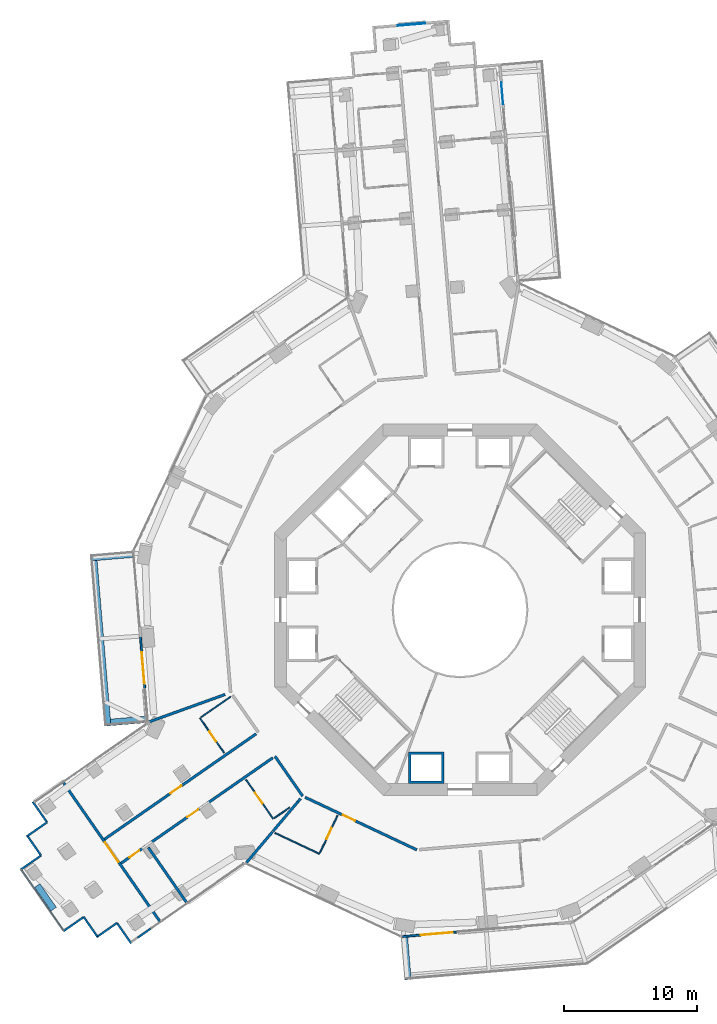
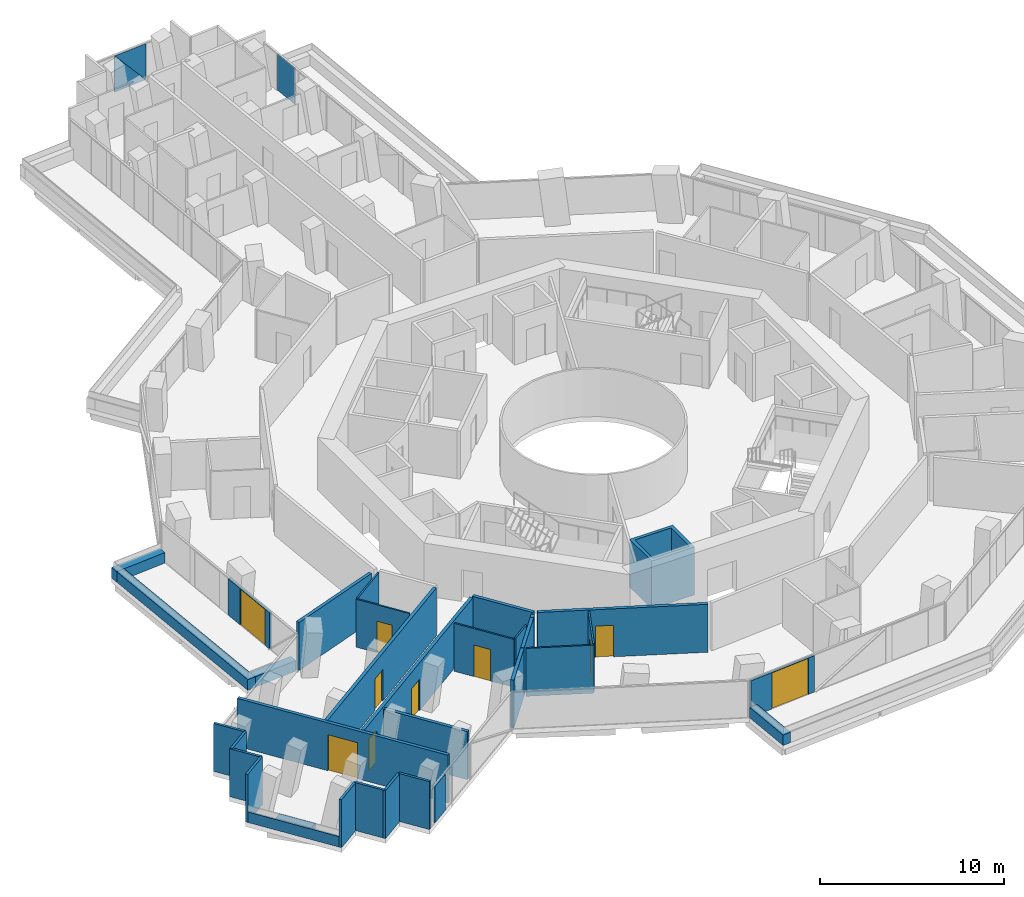
# One storey, part 18 of 26: 34 walls, 10 doors, 3 plates, 10 openings, 2 elements without a shape of their own.
"""IFC4 building model written with IfcOpenShell, lengths in metres."""

from ifc_helpers import new_model, si_unit, direction, frame, frame_2d, origin, origin_2d, place, context, subcontext, project, spatial, polyline, rectangle, outline, extrude, material, layer, layer_set, type_object, element, fill, aggregate, save


model = new_model("IFC4")

# Units and contexts
model_context = context("Model", 3, precision=1e-05, world=origin(), true_north=direction((0.0, 1.0)))
body_context = subcontext(model_context, "Body", "Model", "MODEL_VIEW")
ifc_project = project(units=[si_unit("LENGTHUNIT", "METRE"), si_unit("AREAUNIT", "SQUARE_METRE"), si_unit("VOLUMEUNIT", "CUBIC_METRE"), si_unit("PLANEANGLEUNIT", "RADIAN"), si_unit("MASSUNIT", "GRAM", prefix="KILO")], contexts=[model_context])

# Site, building, storey
site_placement = place(None, origin())
site = spatial("IfcSite", under=ifc_project, at=site_placement, CompositionType="ELEMENT")
building_placement = place(site_placement, origin())
building = spatial("IfcBuilding", under=site, at=building_placement, Name="Verdalira Terraces Hotel", CompositionType="ELEMENT")
storey_placement = place(building_placement, frame((0.0, 0.0, 53.0)))
storey = spatial("IfcBuildingStorey", under=building, at=storey_placement, Name="L11", CompositionType="ELEMENT", Elevation=53.0)

# Curtain wall, plate
ifc_material_1 = material(Name="Clear glass", Category="glass")
ifc_layer_1 = layer(ifc_material_1, 0.14990234375)
ifc_layer_set_1 = layer_set([ifc_layer_1], Name="CW2 curtain wall")
curtain_wall_type_1 = type_object("IfcCurtainWallType", Name="CW2 curtain wall", PredefinedType="NOTDEFINED", material=ifc_layer_set_1)
curtain_wall_1_placement = place(storey_placement, origin())
curtain_wall_1 = element("IfcCurtainWall", 1, at=curtain_wall_1_placement, inside=storey, type_object=curtain_wall_type_1, Name="CW2 curtain wall L11 edge 0", PredefinedType="NOTDEFINED")
ifc_material_2 = material(Name="Clear glass", Category="glass")
ifc_layer_2 = layer(ifc_material_2, 0.031982421875)
ifc_layer_set_2 = layer_set([ifc_layer_2], Name="CW2 glass unit 32")
plate_type_1 = type_object("IfcPlateType", Name="CW2 glass unit 32", PredefinedType="CURTAIN_PANEL", material=ifc_layer_set_2)
plate_1_placement = place(storey_placement, frame((3.176514, 38.954834, 0.0), z_axis=(0.0, 0.0, 1.0), x_axis=(-0.083677843, 0.996492859, 0.0)))
plate_1 = element("IfcPlate", 2, at=plate_1_placement, type_object=plate_type_1, Name="CW2 glass unit", PredefinedType="CURTAIN_PANEL", context=body_context, shape_type="SweptSolid", body=[
    extrude(rectangle(XDim=1.644775, YDim=0.031982, at=origin_2d()), origin(), (0.0, 0.0, 1.0), 2.425049),
])
aggregate(curtain_wall_1, [plate_1])

# Curtain wall, plates
ifc_material_3 = material(Name="Clear glass", Category="glass")
ifc_layer_3 = layer(ifc_material_3, 0.14990234375)
ifc_layer_set_3 = layer_set([ifc_layer_3], Name="CW3 curtain wall")
curtain_wall_type_2 = type_object("IfcCurtainWallType", Name="CW3 curtain wall", PredefinedType="NOTDEFINED", material=ifc_layer_set_3)
curtain_wall_2_placement = place(storey_placement, origin())
curtain_wall_2 = element("IfcCurtainWall", 3, at=curtain_wall_2_placement, inside=storey, type_object=curtain_wall_type_2, Name="CW3 curtain wall L11 edge 5", PredefinedType="NOTDEFINED")
ifc_material_4 = material(Name="Clear glass", Category="glass")
ifc_layer_4 = layer(ifc_material_4, 0.035888671875)
ifc_layer_set_4 = layer_set([ifc_layer_4], Name="CW3 glass unit 36")
plate_type_2 = type_object("IfcPlateType", Name="CW3 glass unit 36", PredefinedType="CURTAIN_PANEL", material=ifc_layer_set_4)
plate_2_placement = place(storey_placement, frame((-3.65918, 44.146729, 1.212402), z_axis=(-0.083677843, 0.996492859, 0.0), x_axis=(-0.996492859, -0.083677843, 0.0)))
plate_2 = element("IfcPlate", 4, at=plate_2_placement, type_object=plate_type_2, Name="CW3 glass unit", PredefinedType="CURTAIN_PANEL", context=body_context, shape_type="SweptSolid", body=[
    extrude(outline(polyline([(-1.037842, -1.212402), (1.037842, -1.212402), (1.037842, 1.212402), (-1.037842, -1.212402)])), origin(), (0.0, 0.0, 1.0), 0.035889),
])
plate_3_placement = place(storey_placement, frame((-3.656006, 44.109619, 1.212402), z_axis=(-0.083677843, 0.996492859, 0.0), x_axis=(-0.996492859, -0.083677843, 0.0)))
plate_3 = element("IfcPlate", 5, at=plate_3_placement, type_object=plate_type_2, Name="CW3 glass unit", PredefinedType="CURTAIN_PANEL", context=body_context, shape_type="SweptSolid", body=[
    extrude(outline(polyline([(-1.037842, -1.212402), (1.037842, 1.212402), (-1.037842, 1.212402), (-1.037842, -1.212402)])), origin(), (0.0, 0.0, 1.0), 0.035889),
])
aggregate(curtain_wall_2, [plate_2, plate_3])

# Walls
ifc_material_5 = material(Name="Concrete C40", Category="concrete")
ifc_layer_5 = layer(ifc_material_5, 0.5)
ifc_layer_set_5 = layer_set([ifc_layer_5], Name="Balcony planter trough with tree")
wall_type_1 = type_object("IfcWallType", Name="Balcony planter trough with tree", PredefinedType="SOLIDWALL", material=ifc_layer_set_5)
wall_1_placement = place(storey_placement, frame((-24.697266, 4.197998, 0.0), z_axis=(0.0, 0.0, 1.0), x_axis=(-0.996495576, -0.083645489, 0.0)))
element("IfcWall", 6, at=wall_1_placement, inside=storey, type_object=wall_type_1, Name="Balcony planter", PredefinedType="SOLIDWALL", context=body_context, shape_type="SweptSolid", body=[
    extrude(rectangle(XDim=3.198975, YDim=0.5, at=frame_2d((1.599609, 0.0))), origin(), (0.0, 0.0, 1.0), 0.699951),
])
wall_2_placement = place(storey_placement, frame((-27.61499, 3.702148, 0.0), z_axis=(0.0, 0.0, 1.0), x_axis=(0.083672624, -0.996493297, 0.0)))
element("IfcWall", 7, at=wall_2_placement, inside=storey, type_object=wall_type_1, Name="Balcony planter", PredefinedType="SOLIDWALL", context=body_context, shape_type="SweptSolid", body=[
    extrude(rectangle(XDim=12.5, YDim=0.5, at=frame_2d((6.25, 0.0))), origin(), (0.0, 0.0, 1.0), 0.699951),
])
wall_3_placement = place(storey_placement, frame((-26.34082, -8.483887, 0.0), z_axis=(0.0, 0.0, 1.0), x_axis=(0.996493156, 0.083674307, 0.0)))
element("IfcWall", 8, at=wall_3_placement, inside=storey, type_object=wall_type_1, Name="Balcony planter", PredefinedType="SOLIDWALL", context=body_context, shape_type="SweptSolid", body=[
    extrude(rectangle(XDim=2.698975, YDim=0.5, at=frame_2d((1.349609, 0.0))), origin(), (0.0, 0.0, 1.0), 0.699951),
])
wall_4_placement = place(storey_placement, frame((-4.197998, -24.697266, 0.0), z_axis=(0.0, 0.0, 1.0), x_axis=(0.083645489, -0.996495576, 0.0)))
element("IfcWall", 9, at=wall_4_placement, inside=storey, type_object=wall_type_1, Name="Balcony planter", PredefinedType="SOLIDWALL", context=body_context, shape_type="SweptSolid", body=[
    extrude(rectangle(XDim=3.198975, YDim=0.5, at=frame_2d((1.599609, 0.0))), origin(), (0.0, 0.0, 1.0), 0.699951),
])

# Wall, opening, door
ifc_material_6 = material(Name="Moisture-resistant gypsum board partition")
ifc_layer_6 = layer(ifc_material_6, 0.10009765625)
ifc_layer_set_6 = layer_set([ifc_layer_6], Name="Bathroom partition 100 mm")
wall_type_2 = type_object("IfcWallType", Name="Bathroom partition 100 mm", PredefinedType="PARTITIONING", material=ifc_layer_set_6)
wall_5_placement = place(storey_placement, frame((-19.614014, -8.151855, 0.0), z_axis=(0.0, 0.0, 1.0), x_axis=(0.570740324, -0.821130612, 0.0)))
wall_5 = element("IfcWall", 10, at=wall_5_placement, inside=storey, type_object=wall_type_2, Name="Bathroom partition", PredefinedType="PARTITIONING", context=body_context, shape_type="SweptSolid", body=[
    extrude(rectangle(XDim=3.200195, YDim=0.100098, at=frame_2d((1.600098, 0.0))), origin(), (0.0, 0.0, 1.0), 3.189941),
])
opening_1_placement = place(wall_5_placement, frame((1.25, 0.0, 0.0)))
opening_1 = element("IfcOpeningElement", 11, at=opening_1_placement, cuts=wall_5, Name="Opening L11-117", PredefinedType="OPENING", context=body_context, shape_type="SweptSolid", body=[
    extrude(rectangle(XDim=0.899902, YDim=2.100098, at=frame_2d((0.449951, 1.050049))), frame((0.0, 0.060059, 0.0), z_axis=(0.0, -1.0, 0.0), x_axis=(1.0, 0.0, 0.0)), (0.0, 0.0, 1.0), 0.120117),
])
ifc_material_7 = material(Name="Timber door", Category="wood")
door_type_1 = type_object("IfcDoorType", Name="Bathroom door 900 x 2100", OperationType="NOTDEFINED", PredefinedType="DOOR", material=ifc_material_7)
door_1_placement = place(opening_1_placement, origin())
door_1 = element("IfcDoor", 12, at=door_1_placement, inside=storey, type_object=door_type_1, Name="Bathroom door 1106", OperationType="SINGLE_SWING_LEFT", OverallHeight=2.10009765625, OverallWidth=0.89990234375, PredefinedType="DOOR", context=body_context, shape_type="SweptSolid", body=[
    extrude(rectangle(XDim=0.899902, YDim=2.100098, at=frame_2d((0.449951, 1.050049))), frame((0.0, 0.024902, 0.0), z_axis=(0.0, -1.0, 0.0), x_axis=(1.0, 0.0, 0.0)), (0.0, 0.0, 1.0), 0.050049),
])
fill(opening_1, door_1)

# Wall
wall_6_placement = place(storey_placement, frame((-19.531738, -8.094727, 0.0), z_axis=(0.0, 0.0, 1.0), x_axis=(0.821168678, 0.570685555, 0.0)))
element("IfcWall", 13, at=wall_6_placement, inside=storey, type_object=wall_type_2, Name="Bathroom partition", PredefinedType="PARTITIONING", context=body_context, shape_type="SweptSolid", body=[
    extrude(rectangle(XDim=2.699951, YDim=0.100098, at=frame_2d((1.350098, 0.0))), origin(), (0.0, 0.0, 1.0), 3.189941),
])

# Wall, opening, door
wall_7_placement = place(storey_placement, frame((-16.139404, -12.800293, 0.0), z_axis=(0.0, 0.0, 1.0), x_axis=(0.570669018, -0.82118017, 0.0)))
wall_7 = element("IfcWall", 14, at=wall_7_placement, inside=storey, type_object=wall_type_2, Name="Bathroom partition", PredefinedType="PARTITIONING", context=body_context, shape_type="SweptSolid", body=[
    extrude(rectangle(XDim=3.600098, YDim=0.100098, at=frame_2d((1.800049, 0.0))), origin(), (0.0, 0.0, 1.0), 3.189941),
])
opening_2_placement = place(wall_7_placement, frame((1.199951, 0.0, 0.0)))
opening_2 = element("IfcOpeningElement", 15, at=opening_2_placement, cuts=wall_7, Name="Opening L11-120", PredefinedType="OPENING", context=body_context, shape_type="SweptSolid", body=[
    extrude(rectangle(XDim=1.0, YDim=2.100098, at=frame_2d((0.5, 1.050049))), frame((0.0, 0.060059, 0.0), z_axis=(0.0, -1.0, 0.0), x_axis=(1.0, 0.0, 0.0)), (0.0, 0.0, 1.0), 0.120117),
])
ifc_material_8 = material(Name="Timber door", Category="wood")
door_type_2 = type_object("IfcDoorType", Name="Bathroom door 1000 x 2100", OperationType="NOTDEFINED", PredefinedType="DOOR", material=ifc_material_8)
door_2_placement = place(opening_2_placement, origin())
door_2 = element("IfcDoor", 16, at=door_2_placement, inside=storey, type_object=door_type_2, Name="Bathroom door 1108", OperationType="SINGLE_SWING_RIGHT", OverallHeight=2.10009765625, OverallWidth=1.0, PredefinedType="DOOR", context=body_context, shape_type="SweptSolid", body=[
    extrude(rectangle(XDim=1.0, YDim=2.100098, at=frame_2d((0.5, 1.050049))), frame((0.0, 0.024902, 0.0), z_axis=(0.0, -1.0, 0.0), x_axis=(1.0, 0.0, 0.0)), (0.0, 0.0, 1.0), 0.050049),
])
fill(opening_2, door_2)

# Walls
wall_8_placement = place(storey_placement, frame((-12.854492, -14.901367, 0.0), z_axis=(0.0, 0.0, 1.0), x_axis=(-0.821122219, -0.570752399, 0.0)))
element("IfcWall", 17, at=wall_8_placement, inside=storey, type_object=wall_type_2, Name="Bathroom partition", PredefinedType="PARTITIONING", context=body_context, shape_type="SweptSolid", body=[
    extrude(rectangle(XDim=1.398438, YDim=0.100098, at=frame_2d((0.699219, 0.0))), origin(), (0.0, 0.0, 1.0), 3.189941),
])
wall_9_placement = place(storey_placement, frame((-10.599854, -18.395996, 0.0), z_axis=(0.0, 0.0, 1.0), x_axis=(-0.904812727, 0.425809734, 0.0)))
element("IfcWall", 18, at=wall_9_placement, inside=storey, type_object=wall_type_2, Name="Bathroom partition", PredefinedType="PARTITIONING", context=body_context, shape_type="SweptSolid", body=[
    extrude(rectangle(XDim=3.703857, YDim=0.100098, at=frame_2d((1.852051, 0.0))), origin(), (0.0, 0.0, 1.0), 3.189941),
])

# Wall, opening, door
wall_10_placement = place(storey_placement, frame((-10.557129, -18.30542, 0.0), z_axis=(0.0, 0.0, 1.0), x_axis=(0.425759108, 0.90483655, 0.0)))
wall_10 = element("IfcWall", 19, at=wall_10_placement, inside=storey, type_object=wall_type_2, Name="Bathroom partition", PredefinedType="PARTITIONING", context=body_context, shape_type="SweptSolid", body=[
    extrude(rectangle(XDim=3.099854, YDim=0.100098, at=frame_2d((1.549805, 0.0))), origin(), (0.0, 0.0, 1.0), 3.189941),
])
opening_3_placement = place(wall_10_placement, frame((1.149902, 0.0, 0.0)))
opening_3 = element("IfcOpeningElement", 20, at=opening_3_placement, cuts=wall_10, Name="Opening L11-122", PredefinedType="OPENING", context=body_context, shape_type="SweptSolid", body=[
    extrude(rectangle(XDim=0.899902, YDim=2.100098, at=frame_2d((0.449951, 1.050049))), frame((0.0, 0.060059, 0.0), z_axis=(0.0, -1.0, 0.0), x_axis=(1.0, 0.0, 0.0)), (0.0, 0.0, 1.0), 0.120117),
])
door_3_placement = place(opening_3_placement, origin())
door_3 = element("IfcDoor", 21, at=door_3_placement, inside=storey, type_object=door_type_1, Name="Bathroom door 1109", OperationType="SINGLE_SWING_LEFT", OverallHeight=2.10009765625, OverallWidth=0.89990234375, PredefinedType="DOOR", context=body_context, shape_type="SweptSolid", body=[
    extrude(rectangle(XDim=0.899902, YDim=2.100098, at=frame_2d((0.449951, 1.050049))), frame((0.0, 0.024902, 0.0), z_axis=(0.0, -1.0, 0.0), x_axis=(1.0, 0.0, 0.0)), (0.0, 0.0, 1.0), 0.050049),
])
fill(opening_3, door_3)

# Walls
ifc_material_9 = material(Name="Concrete C50", Category="concrete")
ifc_layer_7 = layer(ifc_material_9, 0.199951171875)
ifc_layer_set_7 = layer_set([ifc_layer_7], Name="Core RC wall 200 C50")
wall_type_3 = type_object("IfcWallType", Name="Core RC wall 200 C50", PredefinedType="SOLIDWALL", material=ifc_layer_set_7)
wall_11_placement = place(storey_placement, origin())
element("IfcWall", 22, at=wall_11_placement, inside=storey, type_object=wall_type_3, Name="L11 shaft wall S1", PredefinedType="SOLIDWALL", context=body_context, shape_type="SweptSolid", body=[
    extrude(outline(polyline([(-1.199951, -13.100098), (-3.899902, -13.100098), (-3.899902, -10.699951), (-1.199951, -10.699951), (-1.199951, -13.100098)]), holes=[polyline([(-3.699951, -10.899902), (-3.699951, -12.899902), (-1.399902, -12.899902), (-1.399902, -10.899902), (-3.699951, -10.899902)])]), origin(), (0.0, 0.0, 1.0), 3.189941),
])
ifc_material_10 = material(Name="Fire-rated gypsum board wall")
ifc_layer_8 = layer(ifc_material_10, 0.199951171875)
ifc_layer_set_8 = layer_set([ifc_layer_8], Name="Demising wall 200 mm")
wall_type_4 = type_object("IfcWallType", Name="Demising wall 200 mm", PredefinedType="SOLIDWALL", material=ifc_layer_set_8)
wall_12_placement = place(storey_placement, frame((-17.71875, -6.37915, 0.0), z_axis=(0.0, 0.0, 1.0), x_axis=(-0.940881321, -0.338736386, 0.0)))
element("IfcWall", 23, at=wall_12_placement, inside=storey, type_object=wall_type_4, Name="Demising wall", PredefinedType="SOLIDWALL", context=body_context, shape_type="SweptSolid", body=[
    extrude(rectangle(XDim=6.13208, YDim=0.199951, at=frame_2d((3.065918, 0.0))), origin(), (0.0, 0.0, 1.0), 3.189941),
])
wall_13_placement = place(storey_placement, frame((-14.137207, -16.729248, 0.0), z_axis=(0.0, 0.0, 1.0), x_axis=(-0.645495257, -0.763764279, 0.0)))
element("IfcWall", 24, at=wall_13_placement, inside=storey, type_object=wall_type_4, Name="Demising wall", PredefinedType="SOLIDWALL", context=body_context, shape_type="SweptSolid", body=[
    extrude(rectangle(XDim=3.061279, YDim=0.199951, at=frame_2d((1.530762, 0.0))), origin(), (0.0, 0.0, 1.0), 3.189941),
])
wall_14_placement = place(storey_placement, frame((-12.219971, -14.460205, 0.0), z_axis=(0.0, 0.0, 1.0), x_axis=(-0.645440667, -0.763810412, 0.0)))
element("IfcWall", 25, at=wall_14_placement, inside=storey, type_object=wall_type_4, Name="Demising wall", PredefinedType="SOLIDWALL", context=body_context, shape_type="SweptSolid", body=[
    extrude(rectangle(XDim=2.924561, YDim=0.199951, at=frame_2d((1.462402, 0.0))), origin(), (0.0, 0.0, 1.0), 3.189941),
])
wall_15_placement = place(storey_placement, frame((-12.025635, -14.230469, 0.0), z_axis=(0.0, 0.0, 1.0), x_axis=(-0.645833123, -0.763478603, 0.0)))
element("IfcWall", 26, at=wall_15_placement, inside=storey, type_object=wall_type_4, Name="Demising wall", PredefinedType="SOLIDWALL", context=body_context, shape_type="SweptSolid", body=[
    extrude(rectangle(XDim=0.301025, YDim=0.199951, at=frame_2d((0.150391, 0.0))), origin(), (0.0, 0.0, 1.0), 3.189941),
])

# Wall, opening, door
ifc_material_11 = material(Name="Fire-rated gypsum board wall")
ifc_layer_9 = layer(ifc_material_11, 0.199951171875)
ifc_layer_set_9 = layer_set([ifc_layer_9], Name="Guest corridor wall 200 mm")
wall_type_5 = type_object("IfcWallType", Name="Guest corridor wall 200 mm", PredefinedType="SOLIDWALL", material=ifc_layer_set_9)
wall_16_placement = place(storey_placement, frame((-26.831543, -17.308838, 0.0), z_axis=(0.0, 0.0, 1.0), x_axis=(0.821145147, 0.570719412, 0.0)))
wall_16 = element("IfcWall", 27, at=wall_16_placement, inside=storey, type_object=wall_type_5, Name="Guest corridor wall", PredefinedType="SOLIDWALL", context=body_context, shape_type="SweptSolid", body=[
    extrude(rectangle(XDim=13.952881, YDim=0.199951, at=frame_2d((6.976562, 0.0))), origin(), (0.0, 0.0, 1.0), 3.189941),
])
opening_4_placement = place(wall_16_placement, frame((6.100098, 0.0, 0.0)))
opening_4 = element("IfcOpeningElement", 28, at=opening_4_placement, cuts=wall_16, Name="Opening L11-116", PredefinedType="OPENING", context=body_context, shape_type="SweptSolid", body=[
    extrude(rectangle(XDim=1.0, YDim=2.100098, at=frame_2d((0.5, 1.050049))), frame((0.0, 0.109863, 0.0), z_axis=(0.0, -1.0, 0.0), x_axis=(1.0, 0.0, 0.0)), (0.0, 0.0, 1.0), 0.219971),
])
ifc_material_12 = material(Name="Timber fire door", Category="wood")
door_type_3 = type_object("IfcDoorType", Name="Guest entry door 1000 x 2100", OperationType="NOTDEFINED", PredefinedType="DOOR", material=ifc_material_12)
door_4_placement = place(opening_4_placement, origin())
door_4 = element("IfcDoor", 29, at=door_4_placement, inside=storey, type_object=door_type_3, Name="Guest entry door 1106", OperationType="SINGLE_SWING_LEFT", OverallHeight=2.10009765625, OverallWidth=1.0, PredefinedType="DOOR", context=body_context, shape_type="SweptSolid", body=[
    extrude(rectangle(XDim=1.0, YDim=2.100098, at=frame_2d((0.5, 1.050049))), frame((0.0, 0.024902, 0.0), z_axis=(0.0, -1.0, 0.0), x_axis=(1.0, 0.0, 0.0)), (0.0, 0.0, 1.0), 0.050049),
])
fill(opening_4, door_4)

# Wall, openings, doors
wall_17_placement = place(storey_placement, frame((-14.118652, -11.152344, 0.0), z_axis=(0.0, 0.0, 1.0), x_axis=(-0.821153348, -0.570707613, 0.0)))
wall_17 = element("IfcWall", 30, at=wall_17_placement, inside=storey, type_object=wall_type_5, Name="Guest corridor wall", PredefinedType="SOLIDWALL", context=body_context, shape_type="SweptSolid", body=[
    extrude(rectangle(XDim=13.952637, YDim=0.199951, at=frame_2d((6.976318, 0.0))), origin(), (0.0, 0.0, 1.0), 3.189941),
])
opening_5_placement = place(wall_17_placement, frame((12.266357, 0.0, 0.0)))
opening_5 = element("IfcOpeningElement", 31, at=opening_5_placement, cuts=wall_17, Name="Opening L11-118", PredefinedType="OPENING", context=body_context, shape_type="SweptSolid", body=[
    extrude(rectangle(XDim=0.899902, YDim=2.100098, at=frame_2d((0.449951, 1.050049))), frame((0.0, 0.109863, 0.0), z_axis=(0.0, -1.0, 0.0), x_axis=(1.0, 0.0, 0.0)), (0.0, 0.0, 1.0), 0.219971),
])
opening_6_placement = place(wall_17_placement, frame((6.850098, 0.0, 0.0)))
opening_6 = element("IfcOpeningElement", 32, at=opening_6_placement, cuts=wall_17, Name="Opening L11-119", PredefinedType="OPENING", context=body_context, shape_type="SweptSolid", body=[
    extrude(rectangle(XDim=1.0, YDim=2.100098, at=frame_2d((0.5, 1.050049))), frame((0.0, 0.109863, 0.0), z_axis=(0.0, -1.0, 0.0), x_axis=(1.0, 0.0, 0.0)), (0.0, 0.0, 1.0), 0.219971),
])
door_5_placement = place(opening_6_placement, origin())
door_5 = element("IfcDoor", 33, at=door_5_placement, inside=storey, type_object=door_type_3, Name="Guest entry door 1108", OperationType="SINGLE_SWING_RIGHT", OverallHeight=2.10009765625, OverallWidth=1.0, PredefinedType="DOOR", context=body_context, shape_type="SweptSolid", body=[
    extrude(rectangle(XDim=1.0, YDim=2.100098, at=frame_2d((0.5, 1.050049))), frame((0.0, 0.024902, 0.0), z_axis=(0.0, -1.0, 0.0), x_axis=(1.0, 0.0, 0.0)), (0.0, 0.0, 1.0), 0.050049),
])
fill(opening_6, door_5)
ifc_material_13 = material(Name="Steel fire door", Category="steel")
door_type_4 = type_object("IfcDoorType", Name="Service room door 900 x 2100", OperationType="NOTDEFINED", PredefinedType="DOOR", material=ifc_material_13)
door_6_placement = place(opening_5_placement, origin())
door_6 = element("IfcDoor", 34, at=door_6_placement, inside=storey, type_object=door_type_4, Name="Service room door 1107", OperationType="SINGLE_SWING_LEFT", OverallHeight=2.10009765625, OverallWidth=0.89990234375, PredefinedType="DOOR", context=body_context, shape_type="SweptSolid", body=[
    extrude(rectangle(XDim=0.899902, YDim=2.100098, at=frame_2d((0.449951, 1.050049))), frame((0.0, 0.024902, 0.0), z_axis=(0.0, -1.0, 0.0), x_axis=(1.0, 0.0, 0.0)), (0.0, 0.0, 1.0), 0.050049),
])
fill(opening_5, door_6)

# Wall
wall_18_placement = place(storey_placement, frame((-13.95459, -11.038086, 0.0), z_axis=(0.0, 0.0, 1.0), x_axis=(0.570704668, -0.821155395, 0.0)))
element("IfcWall", 35, at=wall_18_placement, inside=storey, type_object=wall_type_5, Name="Guest corridor wall", PredefinedType="SOLIDWALL", context=body_context, shape_type="SweptSolid", body=[
    extrude(rectangle(XDim=3.658447, YDim=0.199951, at=frame_2d((1.829102, 0.0))), origin(), (0.0, 0.0, 1.0), 3.189941),
])

# Wall, opening, door
wall_19_placement = place(storey_placement, frame((-3.256104, -18.093994, 0.0), z_axis=(0.0, 0.0, 1.0), x_axis=(-0.904828798, 0.425775581, 0.0)))
wall_19 = element("IfcWall", 36, at=wall_19_placement, inside=storey, type_object=wall_type_5, Name="Guest corridor wall", PredefinedType="SOLIDWALL", context=body_context, shape_type="SweptSolid", body=[
    extrude(rectangle(XDim=9.316162, YDim=0.199951, at=frame_2d((4.658203, 0.0))), origin(), (0.0, 0.0, 1.0), 3.189941),
])
opening_7_placement = place(wall_19_placement, frame((5.149902, 0.0, 0.0)))
opening_7 = element("IfcOpeningElement", 37, at=opening_7_placement, cuts=wall_19, Name="Opening L11-121", PredefinedType="OPENING", context=body_context, shape_type="SweptSolid", body=[
    extrude(rectangle(XDim=1.0, YDim=2.100098, at=frame_2d((0.5, 1.050049))), frame((0.0, 0.109863, 0.0), z_axis=(0.0, -1.0, 0.0), x_axis=(1.0, 0.0, 0.0)), (0.0, 0.0, 1.0), 0.219971),
])
door_7_placement = place(opening_7_placement, origin())
door_7 = element("IfcDoor", 38, at=door_7_placement, inside=storey, type_object=door_type_3, Name="Guest entry door 1109", OperationType="SINGLE_SWING_LEFT", OverallHeight=2.10009765625, OverallWidth=1.0, PredefinedType="DOOR", context=body_context, shape_type="SweptSolid", body=[
    extrude(rectangle(XDim=1.0, YDim=2.100098, at=frame_2d((0.5, 1.050049))), frame((0.0, 0.024902, 0.0), z_axis=(0.0, -1.0, 0.0), x_axis=(1.0, 0.0, 0.0)), (0.0, 0.0, 1.0), 0.050049),
])
fill(opening_7, door_7)

ifc_material_14 = material(Name="Terracotta cladding", Category="masonry")
ifc_layer_10 = layer(ifc_material_14, 0.199951171875)
ifc_layer_set_10 = layer_set([ifc_layer_10], Name="Loggia back wall 200")
wall_type_6 = type_object("IfcWallType", Name="Loggia back wall 200", PredefinedType="SOLIDWALL", material=ifc_layer_set_10)
wall_20_placement = place(storey_placement, frame((-22.645264, -23.471924, 0.0), z_axis=(0.0, 0.0, 1.0), x_axis=(-0.570717477, 0.821146492, 0.0)))
wall_20 = element("IfcWall", 39, at=wall_20_placement, inside=storey, type_object=wall_type_6, Name="Loggia back wall", PredefinedType="SOLIDWALL", context=body_context, shape_type="SweptSolid", body=[
    extrude(rectangle(XDim=12.699951, YDim=0.199951, at=frame_2d((6.350098, 0.0))), origin(), (0.0, 0.0, 1.0), 3.189941),
])
opening_8_placement = place(wall_20_placement, frame((5.449951, 0.0, 0.0)))
opening_8 = element("IfcOpeningElement", 40, at=opening_8_placement, cuts=wall_20, Name="Opening L11-L01", PredefinedType="OPENING", context=body_context, shape_type="SweptSolid", body=[
    extrude(rectangle(XDim=1.800049, YDim=2.399902, at=frame_2d((0.899902, 1.199951))), frame((0.0, 0.109863, 0.0), z_axis=(0.0, -1.0, 0.0), x_axis=(1.0, 0.0, 0.0)), (0.0, 0.0, 1.0), 0.219971),
])
ifc_material_15 = material(Name="Clear glass", Category="glass")
door_type_5 = type_object("IfcDoorType", Name="Garden double door 1800x2400", OperationType="NOTDEFINED", PredefinedType="DOOR", material=ifc_material_15)
door_8_placement = place(opening_8_placement, origin())
door_8 = element("IfcDoor", 41, at=door_8_placement, inside=storey, type_object=door_type_5, Name="Loggia double door", OperationType="DOUBLE_DOOR_SINGLE_SWING", OverallHeight=2.39990234375, OverallWidth=1.800048828125, PredefinedType="DOOR", context=body_context, shape_type="SweptSolid", body=[
    extrude(rectangle(XDim=1.800049, YDim=2.399902, at=frame_2d((0.899902, 1.199951))), frame((0.0, 0.024902, 0.0), z_axis=(0.0, -1.0, 0.0), x_axis=(1.0, 0.0, 0.0)), (0.0, 0.0, 1.0), 0.050049),
])
fill(opening_8, door_8)

# Walls
ifc_material_16 = material(Name="Concrete C40", Category="concrete")
ifc_layer_11 = layer(ifc_material_16, 0.5)
ifc_layer_set_11 = layer_set([ifc_layer_11], Name="Loggia planter trough with tree")
wall_type_7 = type_object("IfcWallType", Name="Loggia planter trough with tree", PredefinedType="SOLIDWALL", material=ifc_layer_set_11)
wall_21_placement = place(storey_placement, frame((-31.880859, -20.784668, 0.0), z_axis=(0.0, 0.0, 1.0), x_axis=(0.57073772, -0.821132422, 0.0)))
element("IfcWall", 42, at=wall_21_placement, inside=storey, type_object=wall_type_7, Name="Loggia planter", PredefinedType="SOLIDWALL", context=body_context, shape_type="SweptSolid", body=[
    extrude(rectangle(XDim=2.16748, YDim=0.5, at=frame_2d((1.08374, 0.0))), origin(), (0.0, 0.0, 1.0), 0.699951),
])
ifc_material_17 = material(Name="Concrete C40", Category="concrete")
ifc_layer_12 = layer(ifc_material_17, 0.10009765625)
ifc_layer_set_12 = layer_set([ifc_layer_12], Name="Loggia upstand 100")
wall_type_8 = type_object("IfcWallType", Name="Loggia upstand 100", PredefinedType="SOLIDWALL", material=ifc_layer_set_12)
wall_22_placement = place(storey_placement, frame((-33.053223, -19.623535, 0.0), z_axis=(0.0, 0.0, 1.0), x_axis=(0.570709379, -0.82115212, 0.0)))
element("IfcWall", 43, at=wall_22_placement, inside=storey, type_object=wall_type_8, Name="Loggia upstand", PredefinedType="SOLIDWALL", context=body_context, shape_type="SweptSolid", body=[
    extrude(rectangle(XDim=5.5, YDim=0.100098, at=frame_2d((2.75, 0.0))), origin(), (0.0, 0.0, 1.0), 0.699951),
])
ifc_material_18 = material(Name="Fire-rated gypsum board wall")
ifc_layer_13 = layer(ifc_material_18, 0.199951171875)
ifc_layer_set_13 = layer_set([ifc_layer_13], Name="Service room wall 200 mm")
wall_type_9 = type_object("IfcWallType", Name="Service room wall 200 mm", PredefinedType="SOLIDWALL", material=ifc_layer_set_13)
wall_23_placement = place(storey_placement, frame((-23.502197, -17.91748, 0.0), z_axis=(0.0, 0.0, 1.0), x_axis=(0.570694741, -0.821162294, 0.0)))
element("IfcWall", 44, at=wall_23_placement, inside=storey, type_object=wall_type_9, Name="Service room wall", PredefinedType="SOLIDWALL", context=body_context, shape_type="SweptSolid", body=[
    extrude(rectangle(XDim=5.050049, YDim=0.199951, at=frame_2d((2.524902, 0.0))), origin(), (0.0, 0.0, 1.0), 3.189941),
])
ifc_material_19 = material(Name="Terracotta cladding", Category="masonry")
ifc_layer_14 = layer(ifc_material_19, 0.14990234375)
ifc_layer_set_14 = layer_set([ifc_layer_14], Name="Terracotta clad wall 150")
wall_type_10 = type_object("IfcWallType", Name="Terracotta clad wall 150", PredefinedType="SOLIDWALL", material=ifc_layer_set_14)
wall_24_placement = place(storey_placement, frame((-32.216553, -14.475342, 0.0), z_axis=(0.0, 0.0, 1.0), x_axis=(0.570671497, -0.821178447, 0.0)))
element("IfcWall", 45, at=wall_24_placement, inside=storey, type_object=wall_type_10, Name="Terracotta cladding wall", PredefinedType="SOLIDWALL", context=body_context, shape_type="SweptSolid", body=[
    extrude(rectangle(XDim=1.875, YDim=0.149902, at=frame_2d((0.9375, 0.0))), origin(), (0.0, 0.0, 1.0), 3.189941),
])
wall_25_placement = place(storey_placement, frame((-31.146484, -16.015137, 0.0), z_axis=(0.0, 0.0, 1.0), x_axis=(-0.821170476, -0.570682967, 0.0)))
element("IfcWall", 46, at=wall_25_placement, inside=storey, type_object=wall_type_10, Name="Terracotta cladding wall", PredefinedType="SOLIDWALL", context=body_context, shape_type="SweptSolid", body=[
    extrude(rectangle(XDim=1.800293, YDim=0.149902, at=frame_2d((0.900146, 0.0))), origin(), (0.0, 0.0, 1.0), 3.189941),
])
for number, where, z_axis, x_axis, name in (
    (47, (-32.66748, -16.980713, 0.0), (0.0, 0.0, 1.0), (0.570671497, -0.821178447, 0.0), "Terracotta cladding wall"),
    (48, (-31.597412, -18.520508, 0.0), (0.0, 0.0, 1.0), (-0.821136038, -0.570732518, 0.0), "Terracotta cladding wall"),
    (49, (-29.912354, -24.22998, 0.0), (0.0, 0.0, 1.0), (0.821136038, 0.570732518, 0.0), "Terracotta cladding wall"),
):
    element("IfcWall", number, at=place(storey_placement, frame(where, z_axis=z_axis, x_axis=x_axis)), inside=storey, type_object=wall_type_10, Name=name, PredefinedType="SOLIDWALL", context=body_context, shape_type="SweptSolid", body=[
        extrude(rectangle(XDim=1.875, YDim=0.149902, at=frame_2d((0.9375, 0.0))), origin(), (0.0, 0.0, 1.0), 3.189941),
    ])
wall_26_placement = place(storey_placement, frame((-28.372803, -23.159912, 0.0), z_axis=(0.0, 0.0, 1.0), x_axis=(0.570746527, -0.821126301, 0.0)))
element("IfcWall", 50, at=wall_26_placement, inside=storey, type_object=wall_type_10, Name="Terracotta cladding wall", PredefinedType="SOLIDWALL", context=body_context, shape_type="SweptSolid", body=[
    extrude(rectangle(XDim=1.800049, YDim=0.149902, at=frame_2d((0.899902, 0.0))), origin(), (0.0, 0.0, 1.0), 3.189941),
])
wall_27_placement = place(storey_placement, frame((-27.407227, -24.680908, 0.0), z_axis=(0.0, 0.0, 1.0), x_axis=(0.821117432, 0.570759287, 0.0)))
element("IfcWall", 51, at=wall_27_placement, inside=storey, type_object=wall_type_10, Name="Terracotta cladding wall", PredefinedType="SOLIDWALL", context=body_context, shape_type="SweptSolid", body=[
    extrude(rectangle(XDim=1.875244, YDim=0.149902, at=frame_2d((0.9375, 0.0))), origin(), (0.0, 0.0, 1.0), 3.189941),
])
wall_28_placement = place(storey_placement, frame((-25.867432, -23.610596, 0.0), z_axis=(0.0, 0.0, 1.0), x_axis=(0.570671497, -0.821178447, 0.0)))
element("IfcWall", 52, at=wall_28_placement, inside=storey, type_object=wall_type_10, Name="Terracotta cladding wall", PredefinedType="SOLIDWALL", context=body_context, shape_type="SweptSolid", body=[
    extrude(rectangle(XDim=1.875, YDim=0.149902, at=frame_2d((0.9375, 0.0))), origin(), (0.0, 0.0, 1.0), 3.189941),
])
ifc_material_20 = material(Name="Terracotta cladding", Category="masonry")
ifc_layer_15 = layer(ifc_material_20, 0.14990234375)
ifc_layer_set_15 = layer_set([ifc_layer_15], Name="Terracotta column pier 150")
wall_type_11 = type_object("IfcWallType", Name="Terracotta column pier 150", PredefinedType="SOLIDWALL", material=ifc_layer_set_15)
wall_29_placement = place(storey_placement, frame((-24.326904, -24.732178, 0.0), z_axis=(0.0, 0.0, 1.0), x_axis=(0.821081839, 0.570810488, 0.0)))
element("IfcWall", 53, at=wall_29_placement, inside=storey, type_object=wall_type_11, Name="Terracotta column pier", PredefinedType="SOLIDWALL", context=body_context, shape_type="SweptSolid", body=[
    extrude(rectangle(XDim=1.32373, YDim=0.149902, at=frame_2d((0.661865, 0.0))), origin(), (0.0, 0.0, 1.0), 2.425049),
])

# Wall, opening, door
ifc_material_21 = material(Name="Terracotta cladding", Category="masonry")
ifc_layer_16 = layer(ifc_material_21, 0.14990234375)
ifc_layer_set_16 = layer_set([ifc_layer_16], Name="Terracotta door pier 150")
wall_type_12 = type_object("IfcWallType", Name="Terracotta door pier 150", PredefinedType="SOLIDWALL", material=ifc_layer_set_16)
wall_30_placement = place(storey_placement, frame((-24.098633, -2.023682, 0.0), z_axis=(0.0, 0.0, 1.0), x_axis=(0.083713777, -0.996489841, 0.0)))
wall_30 = element("IfcWall", 54, at=wall_30_placement, inside=storey, type_object=wall_type_12, Name="Terracotta door pier", PredefinedType="SOLIDWALL", context=body_context, shape_type="SweptSolid", body=[
    extrude(rectangle(XDim=3.960449, YDim=0.149902, at=frame_2d((1.980225, 0.0))), origin(), (0.0, 0.0, 1.0), 2.425049),
])
opening_9_placement = place(wall_30_placement, frame((1.1604, 0.0, 0.0)))
opening_9 = element("IfcOpeningElement", 55, at=opening_9_placement, cuts=wall_30, Name="Opening L11-B10", PredefinedType="OPENING", context=body_context, shape_type="SweptSolid", body=[
    extrude(rectangle(XDim=2.399902, YDim=2.399902, at=frame_2d((1.199951, 1.199951))), frame((0.0, 0.084961, 0.0), z_axis=(0.0, -1.0, 0.0), x_axis=(1.0, 0.0, 0.0)), (0.0, 0.0, 1.0), 0.169922),
])
ifc_material_22 = material(Name="Clear glass", Category="glass")
door_type_6 = type_object("IfcDoorType", Name="Balcony sliding door 2400x2400", OperationType="NOTDEFINED", PredefinedType="DOOR", material=ifc_material_22)
door_9_placement = place(opening_9_placement, origin())
door_9 = element("IfcDoor", 56, at=door_9_placement, inside=storey, type_object=door_type_6, Name="Balcony sliding door", OperationType="SLIDING_TO_LEFT", OverallHeight=2.39990234375, OverallWidth=2.39990234375, PredefinedType="DOOR", context=body_context, shape_type="SweptSolid", body=[
    extrude(rectangle(XDim=2.399902, YDim=2.399902, at=frame_2d((1.199951, 1.199951))), frame((0.0, 0.024902, 0.0), z_axis=(0.0, -1.0, 0.0), x_axis=(1.0, 0.0, 0.0)), (0.0, 0.0, 1.0), 0.050049),
])
fill(opening_9, door_9)

wall_31_placement = place(storey_placement, frame((-4.35376, -24.634033, 0.0), z_axis=(0.0, 0.0, 1.0), x_axis=(0.996493025, 0.083675875, 0.0)))
wall_31 = element("IfcWall", 57, at=wall_31_placement, inside=storey, type_object=wall_type_12, Name="Terracotta door pier", PredefinedType="SOLIDWALL", context=body_context, shape_type="SweptSolid", body=[
    extrude(rectangle(XDim=4.198486, YDim=0.149902, at=frame_2d((2.099121, 0.0))), origin(), (0.0, 0.0, 1.0), 2.425049),
])
opening_10_placement = place(wall_31_placement, frame((1.398682, 0.0, 0.0)))
opening_10 = element("IfcOpeningElement", 58, at=opening_10_placement, cuts=wall_31, Name="Opening L11-B11", PredefinedType="OPENING", context=body_context, shape_type="SweptSolid", body=[
    extrude(rectangle(XDim=2.399902, YDim=2.399902, at=frame_2d((1.199951, 1.199951))), frame((0.0, 0.084961, 0.0), z_axis=(0.0, -1.0, 0.0), x_axis=(1.0, 0.0, 0.0)), (0.0, 0.0, 1.0), 0.169922),
])
door_10_placement = place(opening_10_placement, origin())
door_10 = element("IfcDoor", 59, at=door_10_placement, inside=storey, type_object=door_type_6, Name="Balcony sliding door", OperationType="SLIDING_TO_LEFT", OverallHeight=2.39990234375, OverallWidth=2.39990234375, PredefinedType="DOOR", context=body_context, shape_type="SweptSolid", body=[
    extrude(rectangle(XDim=2.399902, YDim=2.399902, at=frame_2d((1.199951, 1.199951))), frame((0.0, 0.024902, 0.0), z_axis=(0.0, -1.0, 0.0), x_axis=(1.0, 0.0, 0.0)), (0.0, 0.0, 1.0), 0.050049),
])
fill(opening_10, door_10)

save(model, "model.ifc")
